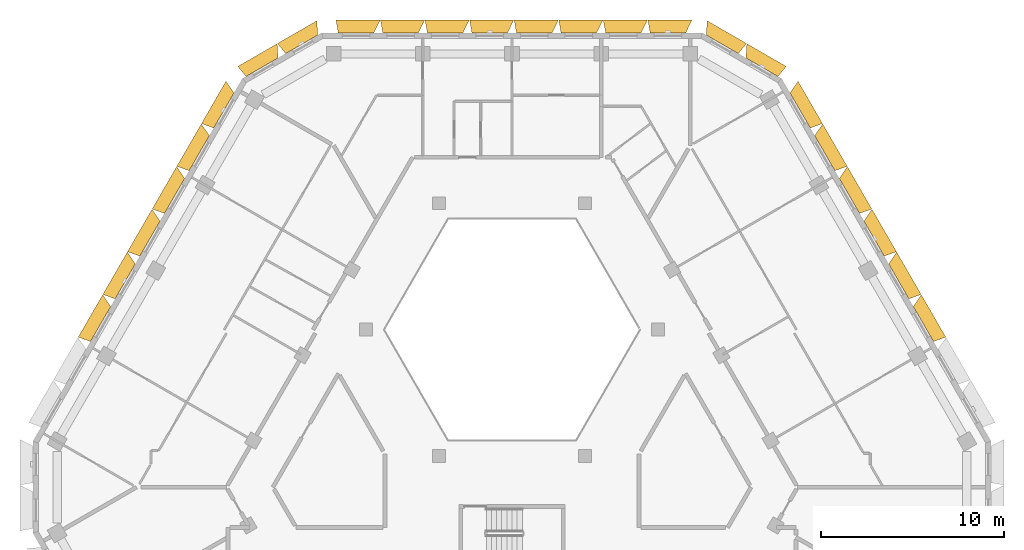
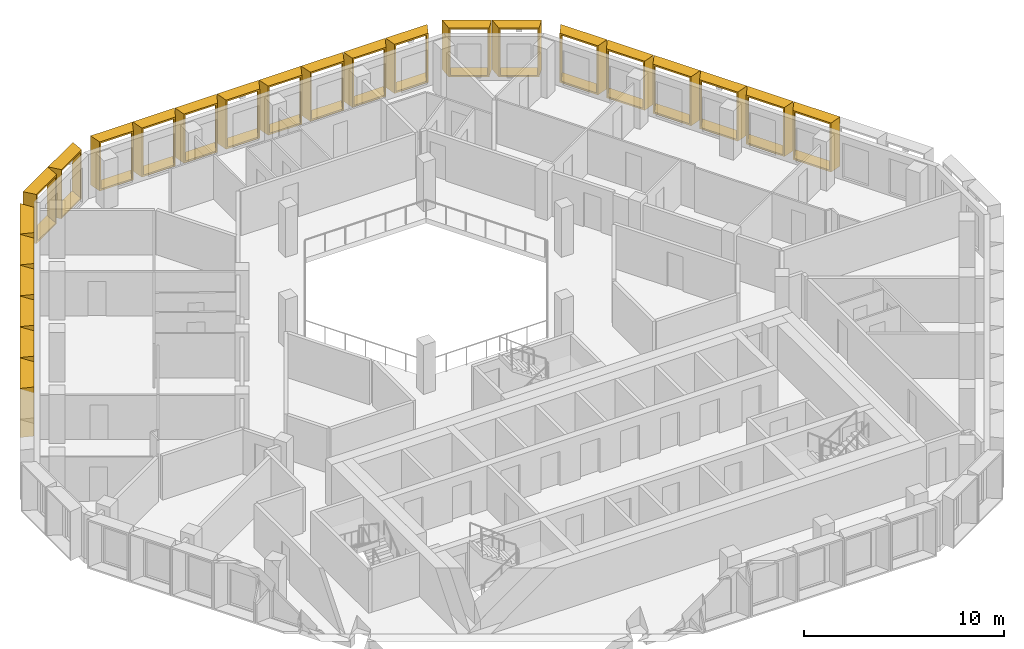
# One storey, part 17 of 17: 24 shading devices.
"""IFC4 building model written with IfcOpenShell, lengths in metres."""

from ifc_helpers import new_model, entity, si_unit, direction, frame, origin, place, context, subcontext, project, spatial, source, transform, mapped, material, type_object, type_shapes, element, save


model = new_model("IFC4")

# Units and contexts
model_context = context("Model", 3, precision=1e-05, world=origin(), true_north=direction((0.0, 1.0)))
body_context = subcontext(model_context, "Body", "Model", "MODEL_VIEW")
ifc_project = project(units=[si_unit("LENGTHUNIT", "METRE"), si_unit("AREAUNIT", "SQUARE_METRE"), si_unit("VOLUMEUNIT", "CUBIC_METRE"), si_unit("PLANEANGLEUNIT", "RADIAN"), si_unit("MASSUNIT", "GRAM", prefix="KILO")], contexts=[model_context])

# Site, building, storey
site_placement = place(None, origin())
site = spatial("IfcSite", under=ifc_project, at=site_placement, CompositionType="ELEMENT")
building_placement = place(site_placement, origin())
building = spatial("IfcBuilding", under=site, at=building_placement, Name="Beryl Residences", CompositionType="ELEMENT")
storey_placement = place(building_placement, frame((0.0, 0.0, 166.199951171875)))
storey = spatial("IfcBuildingStorey", under=building, at=storey_placement, Name="L50", CompositionType="ELEMENT", Elevation=166.199951171875)

# Shading devices
ifc_material_1 = material(Name="Aluminium pale anodised", Category="aluminium")
shading_device_type_1 = type_object("IfcShadingDeviceType", Name="FR243-70B OUTER SKIN frame 700 mm deep, splay 26/10 deg, 2430 x 3000 mm cell", PredefinedType="USERDEFINED", material=ifc_material_1)
cartesian_point_1 = entity("IfcCartesianPoint", [-0.972412109375, 0.0])
cartesian_point_2 = entity("IfcCartesianPoint", [-0.883544921875, 0.10009765625])
cartesian_point_3 = entity("IfcCartesianPoint", [-1.31396484375, 0.0])
cartesian_point_4 = entity("IfcCartesianPoint", [-1.224853515625, 0.10009765625])
shared_shape_1 = source(origin(), body_context, "Body", "SweptSolid", [
    entity("IfcExtrudedAreaSolidTapered", entity("IfcArbitraryProfileDefWithVoids", "AREA", None, entity("IfcPolyline", [cartesian_point_1, entity("IfcCartesianPoint", [0.972412109375, 0.0]), entity("IfcCartesianPoint", [0.972412109375, 3.0]), entity("IfcCartesianPoint", [-0.972412109375, 3.0]), cartesian_point_1]), [entity("IfcPolyline", [cartesian_point_2, entity("IfcCartesianPoint", [0.891357421875, 0.10009765625]), entity("IfcCartesianPoint", [0.891357421875, 2.89990234375]), entity("IfcCartesianPoint", [-0.883544921875, 2.89990234375]), cartesian_point_2])]), entity("IfcAxis2Placement3D", entity("IfcCartesianPoint", [0.0, 0.0, 0.0]), entity("IfcDirection", [0.0, 1.0, 0.0]), entity("IfcDirection", [-1.0, 0.0, 0.0])), entity("IfcDirection", [0.0, 0.0, 1.0]), 0.699951171875, entity("IfcArbitraryProfileDefWithVoids", "AREA", None, entity("IfcPolyline", [cartesian_point_3, entity("IfcCartesianPoint", [1.095947265625, 0.0]), entity("IfcCartesianPoint", [1.095947265625, 3.0]), entity("IfcCartesianPoint", [-1.31396484375, 3.0]), cartesian_point_3]), [entity("IfcPolyline", [cartesian_point_4, entity("IfcCartesianPoint", [1.0146484375, 0.10009765625]), entity("IfcCartesianPoint", [1.0146484375, 2.89990234375]), entity("IfcCartesianPoint", [-1.224853515625, 2.89990234375]), cartesian_point_4])])),
])
type_shapes(shading_device_type_1, [shared_shape_1])
for number, where, z_axis, x_axis, name in (
    (1, (8.511962890625, 24.199951171875, 0.0), (0.0, 0.0, 1.0), (1.0, 0.0, 0.0), "FR243-70B frame L50 N 1"),
    (2, (6.080078125, 24.199951171875, 0.0), (0.0, 0.0, 1.0), (1.0, 0.0, 0.0), "FR243-70B frame L50 N 2"),
    (3, (3.64794921875, 24.199951171875, 0.0), (0.0, 0.0, 1.0), (1.0, 0.0, 0.0), "FR243-70B frame L50 N 3"),
    (4, (1.216064453125, 24.199951171875, 0.0), (0.0, 0.0, 1.0), (1.0, 0.0, 0.0), "FR243-70B frame L50 N 4"),
    (5, (-1.216064453125, 24.199951171875, 0.0), (0.0, 0.0, 1.0), (1.0, 0.0, 0.0), "FR243-70B frame L50 N 5"),
    (6, (-3.64794921875, 24.199951171875, 0.0), (0.0, 0.0, 1.0), (1.0, 0.0, 0.0), "FR243-70B frame L50 N 6"),
    (7, (-6.080078125, 24.199951171875, 0.0), (0.0, 0.0, 1.0), (1.0, 0.0, 0.0), "FR243-70B frame L50 N 7"),
    (8, (-8.511962890625, 24.199951171875, 0.0), (0.0, 0.0, 1.0), (1.0, 0.0, 0.0), "FR243-70B frame L50 N 8"),
):
    element("IfcShadingDevice", number, at=place(storey_placement, frame(where, z_axis=z_axis, x_axis=x_axis)), inside=storey, type_object=shading_device_type_1, Name=name, ObjectType="OUTER SKIN", PredefinedType="USERDEFINED", context=body_context, shape_type="MappedRepresentation", body=[
        mapped(shared_shape_1, transform((0.0, 0.0, 0.0))),
    ])
ifc_material_2 = material(Name="Aluminium pale anodised", Category="aluminium")
shading_device_type_2 = type_object("IfcShadingDeviceType", Name="FR250-70B OUTER SKIN frame 700 mm deep, splay 26/10 deg, 2500 x 3000 mm cell", PredefinedType="USERDEFINED", material=ifc_material_2)
cartesian_point_5 = entity("IfcCartesianPoint", [-1.007568359375, 0.0])
cartesian_point_6 = entity("IfcCartesianPoint", [-0.91845703125, 0.10009765625])
cartesian_point_7 = entity("IfcCartesianPoint", [-1.348876953125, 0.0])
cartesian_point_8 = entity("IfcCartesianPoint", [-1.260009765625, 0.10009765625])
shared_shape_2 = source(origin(), body_context, "Body", "SweptSolid", [
    entity("IfcExtrudedAreaSolidTapered", entity("IfcArbitraryProfileDefWithVoids", "AREA", None, entity("IfcPolyline", [cartesian_point_5, entity("IfcCartesianPoint", [1.007568359375, 0.0]), entity("IfcCartesianPoint", [1.007568359375, 3.0]), entity("IfcCartesianPoint", [-1.007568359375, 3.0]), cartesian_point_5]), [entity("IfcPolyline", [cartesian_point_6, entity("IfcCartesianPoint", [0.92626953125, 0.10009765625]), entity("IfcCartesianPoint", [0.92626953125, 2.89990234375]), entity("IfcCartesianPoint", [-0.91845703125, 2.89990234375]), cartesian_point_6])]), entity("IfcAxis2Placement3D", entity("IfcCartesianPoint", [0.0, 0.0, 0.0]), entity("IfcDirection", [0.0, 1.0, 0.0]), entity("IfcDirection", [-1.0, 0.0, 0.0])), entity("IfcDirection", [0.0, 0.0, 1.0]), 0.699951171875, entity("IfcArbitraryProfileDefWithVoids", "AREA", None, entity("IfcPolyline", [cartesian_point_7, entity("IfcCartesianPoint", [1.130859375, 0.0]), entity("IfcCartesianPoint", [1.130859375, 3.0]), entity("IfcCartesianPoint", [-1.348876953125, 3.0]), cartesian_point_7]), [entity("IfcPolyline", [cartesian_point_8, entity("IfcCartesianPoint", [1.0498046875, 0.10009765625]), entity("IfcCartesianPoint", [1.0498046875, 2.89990234375]), entity("IfcCartesianPoint", [-1.260009765625, 2.89990234375]), cartesian_point_8])])),
])
type_shapes(shading_device_type_2, [shared_shape_2])
for number, where, z_axis, x_axis, name in (
    (9, (-11.47412109375, 23.574951171875, 0.0), (0.0, 0.0, 1.0), (0.866025403784, 0.5, 0.0), "FR250-70B frame L50 N-NW 1"),
    (10, (-13.638916015625, 22.324951171875, 0.0), (0.0, 0.0, 1.0), (0.866025403784, 0.5, 0.0), "FR250-70B frame L50 N-NW 2"),
):
    element("IfcShadingDevice", number, at=place(storey_placement, frame(where, z_axis=z_axis, x_axis=x_axis)), inside=storey, type_object=shading_device_type_2, Name=name, ObjectType="OUTER SKIN", PredefinedType="USERDEFINED", context=body_context, shape_type="MappedRepresentation", body=[
        mapped(shared_shape_2, transform((0.0, 0.0, 0.0))),
    ])
ifc_material_3 = material(Name="Aluminium pale anodised", Category="aluminium")
shading_device_type_3 = type_object("IfcShadingDeviceType", Name="FR250-70C OUTER SKIN frame 700 mm deep, splay 10/26 deg, 2500 x 3000 mm cell", PredefinedType="USERDEFINED", material=ifc_material_3)
cartesian_point_9 = entity("IfcCartesianPoint", [-1.007568359375, 0.0])
cartesian_point_10 = entity("IfcCartesianPoint", [-0.92626953125, 0.10009765625])
cartesian_point_11 = entity("IfcCartesianPoint", [-1.130859375, 0.0])
cartesian_point_12 = entity("IfcCartesianPoint", [-1.0498046875, 0.10009765625])
shared_shape_3 = source(origin(), body_context, "Body", "SweptSolid", [
    entity("IfcExtrudedAreaSolidTapered", entity("IfcArbitraryProfileDefWithVoids", "AREA", None, entity("IfcPolyline", [cartesian_point_9, entity("IfcCartesianPoint", [1.007568359375, 0.0]), entity("IfcCartesianPoint", [1.007568359375, 3.0]), entity("IfcCartesianPoint", [-1.007568359375, 3.0]), cartesian_point_9]), [entity("IfcPolyline", [cartesian_point_10, entity("IfcCartesianPoint", [0.91845703125, 0.10009765625]), entity("IfcCartesianPoint", [0.91845703125, 2.89990234375]), entity("IfcCartesianPoint", [-0.92626953125, 2.89990234375]), cartesian_point_10])]), entity("IfcAxis2Placement3D", entity("IfcCartesianPoint", [0.0, 0.0, 0.0]), entity("IfcDirection", [0.0, 1.0, 0.0]), entity("IfcDirection", [-1.0, 0.0, 0.0])), entity("IfcDirection", [0.0, 0.0, 1.0]), 0.699951171875, entity("IfcArbitraryProfileDefWithVoids", "AREA", None, entity("IfcPolyline", [cartesian_point_11, entity("IfcCartesianPoint", [1.348876953125, 0.0]), entity("IfcCartesianPoint", [1.348876953125, 3.0]), entity("IfcCartesianPoint", [-1.130859375, 3.0]), cartesian_point_11]), [entity("IfcPolyline", [cartesian_point_12, entity("IfcCartesianPoint", [1.260009765625, 0.10009765625]), entity("IfcCartesianPoint", [1.260009765625, 2.89990234375]), entity("IfcCartesianPoint", [-1.0498046875, 2.89990234375]), cartesian_point_12])])),
])
type_shapes(shading_device_type_3, [shared_shape_3])
for number, where, z_axis, x_axis, name in (
    (11, (13.638916015625, 22.324951171875, 0.0), (0.0, 0.0, 1.0), (0.866025403784, -0.5, 0.0), "FR250-70C frame L50 NE-N 1"),
    (12, (11.47412109375, 23.574951171875, 0.0), (0.0, 0.0, 1.0), (0.866025403784, -0.5, 0.0), "FR250-70C frame L50 NE-N 2"),
):
    element("IfcShadingDevice", number, at=place(storey_placement, frame(where, z_axis=z_axis, x_axis=x_axis)), inside=storey, type_object=shading_device_type_3, Name=name, ObjectType="OUTER SKIN", PredefinedType="USERDEFINED", context=body_context, shape_type="MappedRepresentation", body=[
        mapped(shared_shape_3, transform((0.0, 0.0, 0.0))),
    ])
ifc_material_4 = material(Name="Aluminium pale anodised", Category="aluminium")
shading_device_type_4 = type_object("IfcShadingDeviceType", Name="FR269-70B OUTER SKIN frame 700 mm deep, splay 26/10 deg, 2690 x 3000 mm cell", PredefinedType="USERDEFINED", material=ifc_material_4)
cartesian_point_13 = entity("IfcCartesianPoint", [-1.1025390625, 0.0])
cartesian_point_14 = entity("IfcCartesianPoint", [-1.013427734375, 0.10009765625])
cartesian_point_15 = entity("IfcCartesianPoint", [-1.44384765625, 0.0])
cartesian_point_16 = entity("IfcCartesianPoint", [-1.35498046875, 0.10009765625])
shared_shape_4 = source(origin(), body_context, "Body", "SweptSolid", [
    entity("IfcExtrudedAreaSolidTapered", entity("IfcArbitraryProfileDefWithVoids", "AREA", None, entity("IfcPolyline", [cartesian_point_13, entity("IfcCartesianPoint", [1.1025390625, 0.0]), entity("IfcCartesianPoint", [1.1025390625, 3.0]), entity("IfcCartesianPoint", [-1.1025390625, 3.0]), cartesian_point_13]), [entity("IfcPolyline", [cartesian_point_14, entity("IfcCartesianPoint", [1.021240234375, 0.10009765625]), entity("IfcCartesianPoint", [1.021240234375, 2.89990234375]), entity("IfcCartesianPoint", [-1.013427734375, 2.89990234375]), cartesian_point_14])]), entity("IfcAxis2Placement3D", entity("IfcCartesianPoint", [0.0, 0.0, 0.0]), entity("IfcDirection", [0.0, 1.0, 0.0]), entity("IfcDirection", [-1.0, 0.0, 0.0])), entity("IfcDirection", [0.0, 0.0, 1.0]), 0.699951171875, entity("IfcArbitraryProfileDefWithVoids", "AREA", None, entity("IfcPolyline", [cartesian_point_15, entity("IfcCartesianPoint", [1.225830078125, 0.0]), entity("IfcCartesianPoint", [1.225830078125, 3.0]), entity("IfcCartesianPoint", [-1.44384765625, 3.0]), cartesian_point_15]), [entity("IfcPolyline", [cartesian_point_16, entity("IfcCartesianPoint", [1.144775390625, 0.10009765625]), entity("IfcCartesianPoint", [1.144775390625, 2.89990234375]), entity("IfcCartesianPoint", [-1.35498046875, 2.89990234375]), cartesian_point_16])])),
])
type_shapes(shading_device_type_4, [shared_shape_4])
for number, where, z_axis, x_axis, name in (
    (13, (-15.72705078125, 19.9599609375, 0.0), (0.0, 0.0, 1.0), (0.5, 0.866025403784, 0.0), "FR269-70B frame L50 NW 1"),
    (14, (-17.072998046875, 17.6279296875, 0.0), (0.0, 0.0, 1.0), (0.5, 0.866025403784, 0.0), "FR269-70B frame L50 NW 2"),
    (15, (-18.4189453125, 15.297119140625, 0.0), (0.0, 0.0, 1.0), (0.5, 0.866025403784, 0.0), "FR269-70B frame L50 NW 3"),
    (16, (-19.764892578125, 12.966064453125, 0.0), (0.0, 0.0, 1.0), (0.5, 0.866025403784, 0.0), "FR269-70B frame L50 NW 4"),
    (17, (-21.111083984375, 10.634033203125, 0.0), (0.0, 0.0, 1.0), (0.5, 0.866025403784, 0.0), "FR269-70B frame L50 NW 5"),
    (18, (-22.45703125, 8.302978515625, 0.0), (0.0, 0.0, 1.0), (0.5, 0.866025403784, 0.0), "FR269-70B frame L50 NW 6"),
):
    element("IfcShadingDevice", number, at=place(storey_placement, frame(where, z_axis=z_axis, x_axis=x_axis)), inside=storey, type_object=shading_device_type_4, Name=name, ObjectType="OUTER SKIN", PredefinedType="USERDEFINED", context=body_context, shape_type="MappedRepresentation", body=[
        mapped(shared_shape_4, transform((0.0, 0.0, 0.0))),
    ])
ifc_material_5 = material(Name="Aluminium pale anodised", Category="aluminium")
shading_device_type_5 = type_object("IfcShadingDeviceType", Name="FR269-70C OUTER SKIN frame 700 mm deep, splay 10/26 deg, 2690 x 3000 mm cell", PredefinedType="USERDEFINED", material=ifc_material_5)
cartesian_point_17 = entity("IfcCartesianPoint", [-1.1025390625, 0.0])
cartesian_point_18 = entity("IfcCartesianPoint", [-1.021240234375, 0.10009765625])
cartesian_point_19 = entity("IfcCartesianPoint", [-1.225830078125, 0.0])
cartesian_point_20 = entity("IfcCartesianPoint", [-1.144775390625, 0.10009765625])
shared_shape_5 = source(origin(), body_context, "Body", "SweptSolid", [
    entity("IfcExtrudedAreaSolidTapered", entity("IfcArbitraryProfileDefWithVoids", "AREA", None, entity("IfcPolyline", [cartesian_point_17, entity("IfcCartesianPoint", [1.1025390625, 0.0]), entity("IfcCartesianPoint", [1.1025390625, 3.0]), entity("IfcCartesianPoint", [-1.1025390625, 3.0]), cartesian_point_17]), [entity("IfcPolyline", [cartesian_point_18, entity("IfcCartesianPoint", [1.013427734375, 0.10009765625]), entity("IfcCartesianPoint", [1.013427734375, 2.89990234375]), entity("IfcCartesianPoint", [-1.021240234375, 2.89990234375]), cartesian_point_18])]), entity("IfcAxis2Placement3D", entity("IfcCartesianPoint", [0.0, 0.0, 0.0]), entity("IfcDirection", [0.0, 1.0, 0.0]), entity("IfcDirection", [-1.0, 0.0, 0.0])), entity("IfcDirection", [0.0, 0.0, 1.0]), 0.699951171875, entity("IfcArbitraryProfileDefWithVoids", "AREA", None, entity("IfcPolyline", [cartesian_point_19, entity("IfcCartesianPoint", [1.44384765625, 0.0]), entity("IfcCartesianPoint", [1.44384765625, 3.0]), entity("IfcCartesianPoint", [-1.225830078125, 3.0]), cartesian_point_19]), [entity("IfcPolyline", [cartesian_point_20, entity("IfcCartesianPoint", [1.35498046875, 0.10009765625]), entity("IfcCartesianPoint", [1.35498046875, 2.89990234375]), entity("IfcCartesianPoint", [-1.144775390625, 2.89990234375]), cartesian_point_20])])),
])
type_shapes(shading_device_type_5, [shared_shape_5])
for number, where, z_axis, x_axis, name in (
    (19, (22.45703125, 8.302978515625, 0.0), (0.0, 0.0, 1.0), (0.5, -0.866025403784, 0.0), "FR269-70C frame L50 NE 3"),
    (20, (21.111083984375, 10.634033203125, 0.0), (0.0, 0.0, 1.0), (0.5, -0.866025403784, 0.0), "FR269-70C frame L50 NE 4"),
    (21, (19.764892578125, 12.966064453125, 0.0), (0.0, 0.0, 1.0), (0.5, -0.866025403784, 0.0), "FR269-70C frame L50 NE 5"),
    (22, (18.4189453125, 15.297119140625, 0.0), (0.0, 0.0, 1.0), (0.5, -0.866025403784, 0.0), "FR269-70C frame L50 NE 6"),
    (23, (17.072998046875, 17.6279296875, 0.0), (0.0, 0.0, 1.0), (0.5, -0.866025403784, 0.0), "FR269-70C frame L50 NE 7"),
    (24, (15.72705078125, 19.9599609375, 0.0), (0.0, 0.0, 1.0), (0.5, -0.866025403784, 0.0), "FR269-70C frame L50 NE 8"),
):
    element("IfcShadingDevice", number, at=place(storey_placement, frame(where, z_axis=z_axis, x_axis=x_axis)), inside=storey, type_object=shading_device_type_5, Name=name, ObjectType="OUTER SKIN", PredefinedType="USERDEFINED", context=body_context, shape_type="MappedRepresentation", body=[
        mapped(shared_shape_5, transform((0.0, 0.0, 0.0))),
    ])

save(model, "model.ifc")
